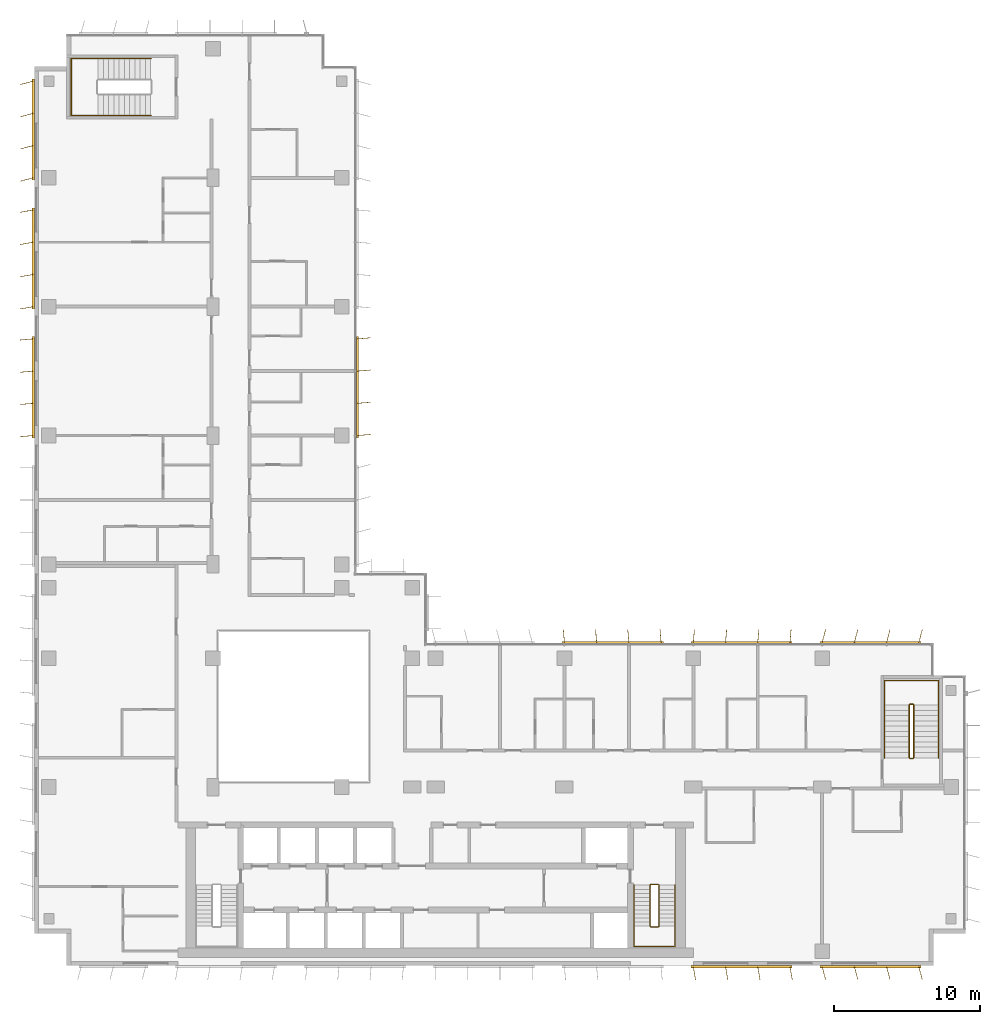
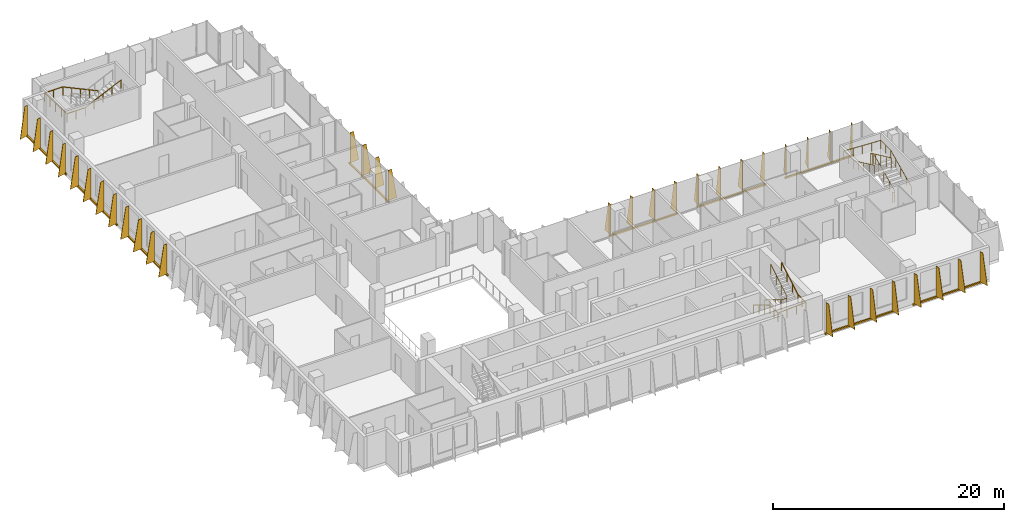
# One storey, part 20 of 21: 9 shading devices, 5 railings.
"""IFC4 building model written with IfcOpenShell, lengths in metres."""

from ifc_helpers import new_model, si_unit, direction, frame, origin, origin_2d, place, context, subcontext, project, spatial, polyline, rectangle, circle, outline, extrude, source, transform, mapped, material, layer, layer_set, type_object, element, save


model = new_model("IFC4")

# Units and contexts
model_context = context("Model", 3, precision=1e-05, world=origin(), true_north=direction((0.0, 1.0)))
body_context = subcontext(model_context, "Body", "Model", "MODEL_VIEW")
ifc_project = project(units=[si_unit("LENGTHUNIT", "METRE"), si_unit("AREAUNIT", "SQUARE_METRE"), si_unit("VOLUMEUNIT", "CUBIC_METRE"), si_unit("PLANEANGLEUNIT", "RADIAN"), si_unit("MASSUNIT", "GRAM", prefix="KILO")], contexts=[model_context])

# Site, building, storey
site_placement = place(None, origin())
site = spatial("IfcSite", under=ifc_project, at=site_placement, CompositionType="ELEMENT")
building_placement = place(site_placement, origin())
building = spatial("IfcBuilding", under=site, at=building_placement, Name="Kemantara Hotel Tower", CompositionType="ELEMENT")
storey_placement = place(building_placement, frame((0.0, 0.0, 171.60009765625)))
storey = spatial("IfcBuildingStorey", under=building, at=storey_placement, Name="L42", CompositionType="ELEMENT", Elevation=171.60009765625)

# Railings
ifc_material_1 = material(Name="Stainless steel balustrade", Category="steel")
railing_type_1 = type_object("IfcRailingType", Name="Stair guard 1100 mm", PredefinedType="GUARDRAIL", material=ifc_material_1)
railing_1_placement = place(storey_placement, frame((42.64990234375, 5.5, 3.699951171875)))
element("IfcRailing", 1, at=railing_1_placement, inside=storey, type_object=railing_type_1, Name="L42 ST2 stair guard 1", PredefinedType="GUARDRAIL", context=body_context, shape_type="SweptSolid", body=[
    extrude(circle(Radius=0.02392578125, at=origin_2d()), frame((0.0, 0.0, 1.076171875), z_axis=(0.0, -0.857242210791, -0.514913383045), x_axis=(1.0, 0.0, 0.0)), (0.0, 0.0, 1.0), 3.266357421875),
    extrude(circle(Radius=0.02392578125, at=origin_2d()), frame((0.0, -2.800048828125, -0.60595703125), z_axis=(-0.273006030465, -0.27434429532, -0.922064485248), x_axis=(0.708833529934, -0.705375805398, 0.0)), (0.0, 0.0, 1.0), 0.182373046875),
    extrude(circle(Radius=0.02392578125, at=origin_2d()), frame((-0.0498046875, -2.85009765625, -0.77392578125), z_axis=(-1.0, 0.0, 0.0), x_axis=(0.0, -1.0, 0.0)), (0.0, 0.0, 1.0), 0.5),
    extrude(circle(Radius=0.02392578125, at=origin_2d()), frame((-0.5498046875, -2.85009765625, -0.77392578125), z_axis=(-0.707106781187, 0.707106781187, 0.0), x_axis=(-0.707106781187, -0.707106781187, 0.0)), (0.0, 0.0, 1.0), 0.07080078125),
    extrude(circle(Radius=0.02392578125, at=origin_2d()), frame((-0.599853515625, -2.800048828125, -0.77392578125), z_axis=(0.0, 0.857242210791, -0.514913383045), x_axis=(-1.0, 0.0, 0.0)), (0.0, 0.0, 1.0), 3.266357421875),
    extrude(circle(Radius=0.02392578125, at=origin_2d()), frame((-0.599853515625, 0.0, -2.4560546875), z_axis=(0.274582412415, 0.274582412415, -0.921525364591), x_axis=(-0.707106781187, 0.707106781187, 0.0)), (0.0, 0.0, 1.0), 0.182373046875),
    extrude(circle(Radius=0.02392578125, at=origin_2d()), frame((-0.5498046875, 0.050048828125, -2.6240234375), z_axis=(1.0, 0.0, 0.0), x_axis=(0.0, 1.0, 0.0)), (0.0, 0.0, 1.0), 0.5),
    extrude(circle(Radius=0.02099609375, at=origin_2d()), origin(), (0.0, 0.0, 1.0), 1.052001953125),
    extrude(circle(Radius=0.02099609375, at=origin_2d()), frame((0.0, -0.933349609375, -0.560546875)), (0.0, 0.0, 1.0), 1.052001953125),
    extrude(circle(Radius=0.02099609375, at=origin_2d()), frame((0.0, -1.86669921875, -1.121337890625)), (0.0, 0.0, 1.0), 1.052001953125),
    extrude(circle(Radius=0.02099609375, at=origin_2d()), frame((0.0, -2.800048828125, -1.681884765625)), (0.0, 0.0, 1.0), 1.052001953125),
    extrude(circle(Radius=0.02099609375, at=origin_2d()), frame((-0.0498046875, -2.85009765625, -1.85009765625)), (0.0, 0.0, 1.0), 1.052001953125),
    extrude(circle(Radius=0.02099609375, at=origin_2d()), frame((-0.5498046875, -2.85009765625, -1.85009765625)), (0.0, 0.0, 1.0), 1.052001953125),
    extrude(circle(Radius=0.02099609375, at=origin_2d()), frame((-0.599853515625, -2.800048828125, -1.85009765625)), (0.0, 0.0, 1.0), 1.052001953125),
    extrude(circle(Radius=0.02099609375, at=origin_2d()), frame((-0.599853515625, -1.86669921875, -2.41064453125)), (0.0, 0.0, 1.0), 1.052001953125),
    extrude(circle(Radius=0.02099609375, at=origin_2d()), frame((-0.599853515625, -0.933349609375, -2.971435546875)), (0.0, 0.0, 1.0), 1.052001953125),
    extrude(circle(Radius=0.02099609375, at=origin_2d()), frame((-0.599853515625, 0.0, -3.531982421875)), (0.0, 0.0, 1.0), 1.052001953125),
    extrude(circle(Radius=0.02099609375, at=origin_2d()), frame((-0.5498046875, 0.050048828125, -3.699951171875)), (0.0, 0.0, 1.0), 1.052001953125),
    extrude(circle(Radius=0.02099609375, at=origin_2d()), frame((-0.0498046875, 0.050048828125, -3.699951171875)), (0.0, 0.0, 1.0), 1.052001953125),
])
railing_2_placement = place(storey_placement, frame((59.75, 14.199951171875, 3.699951171875)))
element("IfcRailing", 2, at=railing_2_placement, inside=storey, type_object=railing_type_1, Name="L42 ST3 stair guard 1", PredefinedType="GUARDRAIL", context=body_context, shape_type="SweptSolid", body=[
    extrude(circle(Radius=0.02392578125, at=origin_2d()), frame((0.0, 0.0, 1.076171875), z_axis=(0.0, 0.906005689286, -0.423265508849), x_axis=(-1.0, 0.0, 0.0)), (0.0, 0.0, 1.0), 3.9736328125),
    extrude(circle(Radius=0.02392578125, at=origin_2d()), frame((0.0, 3.60009765625, -0.60595703125), z_axis=(0.274243871929, 0.274243871929, -0.92172696468), x_axis=(-0.707106781187, 0.707106781187, 0.0)), (0.0, 0.0, 1.0), 0.1826171875),
    extrude(circle(Radius=0.02392578125, at=origin_2d()), frame((0.050048828125, 3.650146484375, -0.77392578125), z_axis=(1.0, 0.0, 0.0), x_axis=(0.0, 1.0, 0.0)), (0.0, 0.0, 1.0), 0.199951171875),
    extrude(circle(Radius=0.02392578125, at=origin_2d()), frame((0.25, 3.650146484375, -0.77392578125), z_axis=(0.707106781187, -0.707106781187, 0.0), x_axis=(0.707106781187, 0.707106781187, 0.0)), (0.0, 0.0, 1.0), 0.07080078125),
    extrude(circle(Radius=0.02392578125, at=origin_2d()), frame((0.300048828125, 3.60009765625, -0.77392578125), z_axis=(0.0, -0.906005689286, -0.423265508849), x_axis=(1.0, 0.0, 0.0)), (0.0, 0.0, 1.0), 3.9736328125),
    extrude(circle(Radius=0.02392578125, at=origin_2d()), frame((0.300048828125, 0.0, -2.4560546875), z_axis=(-0.274582412415, -0.274582412415, -0.921525364591), x_axis=(0.707106781187, -0.707106781187, 0.0)), (0.0, 0.0, 1.0), 0.182373046875),
    extrude(circle(Radius=0.02392578125, at=origin_2d()), frame((0.25, -0.050048828125, -2.6240234375), z_axis=(-1.0, 0.0, 0.0), x_axis=(0.0, -1.0, 0.0)), (0.0, 0.0, 1.0), 0.199951171875),
    extrude(circle(Radius=0.02099609375, at=origin_2d()), origin(), (0.0, 0.0, 1.0), 1.052001953125),
    extrude(circle(Radius=0.02099609375, at=origin_2d()), frame((0.0, 0.89990234375, -0.42041015625)), (0.0, 0.0, 1.0), 1.052001953125),
    extrude(circle(Radius=0.02099609375, at=origin_2d()), frame((0.0, 1.800048828125, -0.8408203125)), (0.0, 0.0, 1.0), 1.052001953125),
    extrude(circle(Radius=0.02099609375, at=origin_2d()), frame((0.0, 2.7001953125, -1.261474609375)), (0.0, 0.0, 1.0), 1.052001953125),
    extrude(circle(Radius=0.02099609375, at=origin_2d()), frame((0.0, 3.60009765625, -1.681884765625)), (0.0, 0.0, 1.0), 1.052001953125),
    extrude(circle(Radius=0.02099609375, at=origin_2d()), frame((0.050048828125, 3.650146484375, -1.85009765625)), (0.0, 0.0, 1.0), 1.052001953125),
    extrude(circle(Radius=0.02099609375, at=origin_2d()), frame((0.25, 3.650146484375, -1.85009765625)), (0.0, 0.0, 1.0), 1.052001953125),
    extrude(circle(Radius=0.02099609375, at=origin_2d()), frame((0.300048828125, 3.60009765625, -1.85009765625)), (0.0, 0.0, 1.0), 1.052001953125),
    extrude(circle(Radius=0.02099609375, at=origin_2d()), frame((0.300048828125, 2.7001953125, -2.2705078125)), (0.0, 0.0, 1.0), 1.052001953125),
    extrude(circle(Radius=0.02099609375, at=origin_2d()), frame((0.300048828125, 1.800048828125, -2.69091796875)), (0.0, 0.0, 1.0), 1.052001953125),
    extrude(circle(Radius=0.02099609375, at=origin_2d()), frame((0.300048828125, 0.89990234375, -3.111572265625)), (0.0, 0.0, 1.0), 1.052001953125),
    extrude(circle(Radius=0.02099609375, at=origin_2d()), frame((0.300048828125, 0.0, -3.531982421875)), (0.0, 0.0, 1.0), 1.052001953125),
    extrude(circle(Radius=0.02099609375, at=origin_2d()), frame((0.25, -0.050048828125, -3.699951171875)), (0.0, 0.0, 1.0), 1.052001953125),
    extrude(circle(Radius=0.02099609375, at=origin_2d()), frame((0.050048828125, -0.050048828125, -3.699951171875)), (0.0, 0.0, 1.0), 1.052001953125),
])
railing_type_2 = type_object("IfcRailingType", Name="Stair handrail 900 mm", PredefinedType="HANDRAIL", material=ifc_material_1)
railing_3_placement = place(storey_placement, frame((40.949951171875, 5.5, 0.16796875)))
element("IfcRailing", 3, at=railing_3_placement, inside=storey, type_object=railing_type_2, Name="L42 ST2 stair handrail 1", PredefinedType="HANDRAIL", context=body_context, shape_type="SweptSolid", body=[
    extrude(circle(Radius=0.02392578125, at=origin_2d()), frame((0.0, 0.0, 0.8759765625), z_axis=(0.0, -0.857242210791, 0.514913383045), x_axis=(1.0, 0.0, 0.0)), (0.0, 0.0, 1.0), 3.266357421875),
    extrude(circle(Radius=0.02392578125, at=origin_2d()), frame((0.0, -2.800048828125, 2.5576171875), z_axis=(0.0, -1.0, 0.0), x_axis=(1.0, 0.0, 0.0)), (0.0, 0.0, 1.0), 1.3798828125),
    extrude(circle(Radius=0.02392578125, at=origin_2d()), frame((0.0, -4.179931640625, 2.5576171875), z_axis=(0.998200367801, 0.0, 0.059966871865), x_axis=(0.0, 1.0, 0.0)), (0.0, 0.0, 1.0), 2.80517578125),
    extrude(circle(Radius=0.02392578125, at=origin_2d()), frame((2.800048828125, -4.179931640625, 2.72607421875), z_axis=(0.0, 1.0, 0.0), x_axis=(-1.0, 0.0, 0.0)), (0.0, 0.0, 1.0), 1.3798828125),
    extrude(circle(Radius=0.02392578125, at=origin_2d()), frame((2.800048828125, -2.800048828125, 2.72607421875), z_axis=(0.0, 0.857242210791, 0.514913383045), x_axis=(-1.0, 0.0, 0.0)), (0.0, 0.0, 1.0), 3.266357421875),
    extrude(circle(Radius=0.02099609375, at=origin_2d()), origin(), (0.0, 0.0, 1.0), 0.851806640625),
    extrude(circle(Radius=0.02099609375, at=origin_2d()), frame((0.0, -0.933349609375, 0.560546875)), (0.0, 0.0, 1.0), 0.851806640625),
    extrude(circle(Radius=0.02099609375, at=origin_2d()), frame((0.0, -1.86669921875, 1.121337890625)), (0.0, 0.0, 1.0), 0.851806640625),
    extrude(circle(Radius=0.02099609375, at=origin_2d()), frame((0.0, -2.800048828125, 1.681884765625)), (0.0, 0.0, 1.0), 0.851806640625),
    extrude(circle(Radius=0.02099609375, at=origin_2d()), frame((0.0, -3.489990234375, 1.681884765625)), (0.0, 0.0, 1.0), 0.851806640625),
    extrude(circle(Radius=0.02099609375, at=origin_2d()), frame((0.0, -4.179931640625, 1.681884765625)), (0.0, 0.0, 1.0), 0.851806640625),
    extrude(circle(Radius=0.02099609375, at=origin_2d()), frame((0.933349609375, -4.179931640625, 1.738037109375)), (0.0, 0.0, 1.0), 0.851806640625),
    extrude(circle(Radius=0.02099609375, at=origin_2d()), frame((1.86669921875, -4.179931640625, 1.7939453125)), (0.0, 0.0, 1.0), 0.851806640625),
    extrude(circle(Radius=0.02099609375, at=origin_2d()), frame((2.800048828125, -4.179931640625, 1.85009765625)), (0.0, 0.0, 1.0), 0.851806640625),
    extrude(circle(Radius=0.02099609375, at=origin_2d()), frame((2.800048828125, -3.489990234375, 1.85009765625)), (0.0, 0.0, 1.0), 0.851806640625),
    extrude(circle(Radius=0.02099609375, at=origin_2d()), frame((2.800048828125, -2.800048828125, 1.85009765625)), (0.0, 0.0, 1.0), 0.851806640625),
    extrude(circle(Radius=0.02099609375, at=origin_2d()), frame((2.800048828125, -1.86669921875, 2.41064453125)), (0.0, 0.0, 1.0), 0.851806640625),
    extrude(circle(Radius=0.02099609375, at=origin_2d()), frame((2.800048828125, -0.933349609375, 2.971435546875)), (0.0, 0.0, 1.0), 0.851806640625),
    extrude(circle(Radius=0.02099609375, at=origin_2d()), frame((2.800048828125, 0.0, 3.531982421875)), (0.0, 0.0, 1.0), 0.851806640625),
])
railing_4_placement = place(storey_placement, frame((61.75, 14.199951171875, 0.16796875)))
element("IfcRailing", 4, at=railing_4_placement, inside=storey, type_object=railing_type_2, Name="L42 ST3 stair handrail 1", PredefinedType="HANDRAIL", context=body_context, shape_type="SweptSolid", body=[
    extrude(circle(Radius=0.02392578125, at=origin_2d()), frame((0.0, 0.0, 0.8759765625), z_axis=(0.0, 0.906005689286, 0.423265508849), x_axis=(-1.0, 0.0, 0.0)), (0.0, 0.0, 1.0), 3.9736328125),
    extrude(circle(Radius=0.02392578125, at=origin_2d()), frame((0.0, 3.60009765625, 2.5576171875), z_axis=(0.0, 1.0, 0.0), x_axis=(-1.0, 0.0, 0.0)), (0.0, 0.0, 1.0), 1.679931640625),
    extrude(circle(Radius=0.02392578125, at=origin_2d()), frame((0.0, 5.280029296875, 2.5576171875), z_axis=(-0.998968132438, 0.0, 0.045416631029), x_axis=(0.0, -1.0, 0.0)), (0.0, 0.0, 1.0), 3.703857421875),
    extrude(circle(Radius=0.02392578125, at=origin_2d()), frame((-3.699951171875, 5.280029296875, 2.72607421875), z_axis=(0.0, -1.0, 0.0), x_axis=(1.0, 0.0, 0.0)), (0.0, 0.0, 1.0), 1.679931640625),
    extrude(circle(Radius=0.02392578125, at=origin_2d()), frame((-3.699951171875, 3.60009765625, 2.72607421875), z_axis=(0.0, -0.906005689286, 0.423265508849), x_axis=(1.0, 0.0, 0.0)), (0.0, 0.0, 1.0), 3.9736328125),
    extrude(circle(Radius=0.02099609375, at=origin_2d()), origin(), (0.0, 0.0, 1.0), 0.851806640625),
    extrude(circle(Radius=0.02099609375, at=origin_2d()), frame((0.0, 0.89990234375, 0.42041015625)), (0.0, 0.0, 1.0), 0.851806640625),
    extrude(circle(Radius=0.02099609375, at=origin_2d()), frame((0.0, 1.800048828125, 0.8408203125)), (0.0, 0.0, 1.0), 0.851806640625),
    extrude(circle(Radius=0.02099609375, at=origin_2d()), frame((0.0, 2.7001953125, 1.261474609375)), (0.0, 0.0, 1.0), 0.851806640625),
    extrude(circle(Radius=0.02099609375, at=origin_2d()), frame((0.0, 3.60009765625, 1.681884765625)), (0.0, 0.0, 1.0), 0.851806640625),
    extrude(circle(Radius=0.02099609375, at=origin_2d()), frame((0.0, 4.43994140625, 1.681884765625)), (0.0, 0.0, 1.0), 0.851806640625),
    extrude(circle(Radius=0.02099609375, at=origin_2d()), frame((0.0, 5.280029296875, 1.681884765625)), (0.0, 0.0, 1.0), 0.851806640625),
    extrude(circle(Radius=0.02099609375, at=origin_2d()), frame((-0.925048828125, 5.280029296875, 1.723876953125)), (0.0, 0.0, 1.0), 0.851806640625),
    extrude(circle(Radius=0.02099609375, at=origin_2d()), frame((-1.85009765625, 5.280029296875, 1.76611328125)), (0.0, 0.0, 1.0), 0.851806640625),
    extrude(circle(Radius=0.02099609375, at=origin_2d()), frame((-2.77490234375, 5.280029296875, 1.80810546875)), (0.0, 0.0, 1.0), 0.851806640625),
    extrude(circle(Radius=0.02099609375, at=origin_2d()), frame((-3.699951171875, 5.280029296875, 1.85009765625)), (0.0, 0.0, 1.0), 0.851806640625),
    extrude(circle(Radius=0.02099609375, at=origin_2d()), frame((-3.699951171875, 4.43994140625, 1.85009765625)), (0.0, 0.0, 1.0), 0.851806640625),
    extrude(circle(Radius=0.02099609375, at=origin_2d()), frame((-3.699951171875, 3.60009765625, 1.85009765625)), (0.0, 0.0, 1.0), 0.851806640625),
    extrude(circle(Radius=0.02099609375, at=origin_2d()), frame((-3.699951171875, 2.7001953125, 2.2705078125)), (0.0, 0.0, 1.0), 0.851806640625),
    extrude(circle(Radius=0.02099609375, at=origin_2d()), frame((-3.699951171875, 1.800048828125, 2.69091796875)), (0.0, 0.0, 1.0), 0.851806640625),
    extrude(circle(Radius=0.02099609375, at=origin_2d()), frame((-3.699951171875, 0.89990234375, 3.111572265625)), (0.0, 0.0, 1.0), 0.851806640625),
    extrude(circle(Radius=0.02099609375, at=origin_2d()), frame((-3.699951171875, 0.0, 3.531982421875)), (0.0, 0.0, 1.0), 0.851806640625),
])
railing_5_placement = place(storey_placement, frame((7.949951171875, 61.949951171875, 0.16796875)))
element("IfcRailing", 5, at=railing_5_placement, inside=storey, type_object=railing_type_2, Name="L42 ST4 stair handrail 1", PredefinedType="HANDRAIL", context=body_context, shape_type="SweptSolid", body=[
    extrude(circle(Radius=0.02392578125, at=origin_2d()), frame((0.0, 0.0, 0.8759765625), z_axis=(-0.905994681025, 0.0, 0.423289071386), x_axis=(0.0, -1.0, 0.0)), (0.0, 0.0, 1.0), 3.973388671875),
    extrude(circle(Radius=0.02392578125, at=origin_2d()), frame((-3.599853515625, 0.0, 2.5576171875), z_axis=(-1.0, 0.0, 0.0), x_axis=(0.0, -1.0, 0.0)), (0.0, 0.0, 1.0), 1.830078125),
    extrude(circle(Radius=0.02392578125, at=origin_2d()), frame((-5.429931640625, 0.0, 2.5576171875), z_axis=(0.0, -0.999071085748, 0.043092523981), x_axis=(1.0, 0.0, 0.0)), (0.0, 0.0, 1.0), 3.903564453125),
    extrude(circle(Radius=0.02392578125, at=origin_2d()), frame((-5.429931640625, -3.89990234375, 2.72607421875), z_axis=(1.0, 0.0, 0.0), x_axis=(0.0, 1.0, 0.0)), (0.0, 0.0, 1.0), 1.830078125),
    extrude(circle(Radius=0.02392578125, at=origin_2d()), frame((-3.599853515625, -3.89990234375, 2.72607421875), z_axis=(0.905994681025, 0.0, 0.423289071386), x_axis=(0.0, 1.0, 0.0)), (0.0, 0.0, 1.0), 3.973388671875),
    extrude(circle(Radius=0.02099609375, at=origin_2d()), origin(), (0.0, 0.0, 1.0), 0.851806640625),
    extrude(circle(Radius=0.02099609375, at=origin_2d()), frame((-0.89990234375, 0.0, 0.42041015625)), (0.0, 0.0, 1.0), 0.851806640625),
    extrude(circle(Radius=0.02099609375, at=origin_2d()), frame((-1.7998046875, 0.0, 0.8408203125)), (0.0, 0.0, 1.0), 0.851806640625),
    extrude(circle(Radius=0.02099609375, at=origin_2d()), frame((-2.699951171875, 0.0, 1.261474609375)), (0.0, 0.0, 1.0), 0.851806640625),
    extrude(circle(Radius=0.02099609375, at=origin_2d()), frame((-3.599853515625, 0.0, 1.681884765625)), (0.0, 0.0, 1.0), 0.851806640625),
    extrude(circle(Radius=0.02099609375, at=origin_2d()), frame((-4.514892578125, 0.0, 1.681884765625)), (0.0, 0.0, 1.0), 0.851806640625),
    extrude(circle(Radius=0.02099609375, at=origin_2d()), frame((-5.429931640625, 0.0, 1.681884765625)), (0.0, 0.0, 1.0), 0.851806640625),
    extrude(circle(Radius=0.02099609375, at=origin_2d()), frame((-5.429931640625, -0.97509765625, 1.723876953125)), (0.0, 0.0, 1.0), 0.851806640625),
    extrude(circle(Radius=0.02099609375, at=origin_2d()), frame((-5.429931640625, -1.949951171875, 1.76611328125)), (0.0, 0.0, 1.0), 0.851806640625),
    extrude(circle(Radius=0.02099609375, at=origin_2d()), frame((-5.429931640625, -2.9248046875, 1.80810546875)), (0.0, 0.0, 1.0), 0.851806640625),
    extrude(circle(Radius=0.02099609375, at=origin_2d()), frame((-5.429931640625, -3.89990234375, 1.85009765625)), (0.0, 0.0, 1.0), 0.851806640625),
    extrude(circle(Radius=0.02099609375, at=origin_2d()), frame((-4.514892578125, -3.89990234375, 1.85009765625)), (0.0, 0.0, 1.0), 0.851806640625),
    extrude(circle(Radius=0.02099609375, at=origin_2d()), frame((-3.599853515625, -3.89990234375, 1.85009765625)), (0.0, 0.0, 1.0), 0.851806640625),
    extrude(circle(Radius=0.02099609375, at=origin_2d()), frame((-2.699951171875, -3.89990234375, 2.2705078125)), (0.0, 0.0, 1.0), 0.851806640625),
    extrude(circle(Radius=0.02099609375, at=origin_2d()), frame((-1.7998046875, -3.89990234375, 2.69091796875)), (0.0, 0.0, 1.0), 0.851806640625),
    extrude(circle(Radius=0.02099609375, at=origin_2d()), frame((-0.89990234375, -3.89990234375, 3.111572265625)), (0.0, 0.0, 1.0), 0.851806640625),
    extrude(circle(Radius=0.02099609375, at=origin_2d()), frame((0.0, -3.89990234375, 3.531982421875)), (0.0, 0.0, 1.0), 0.851806640625),
])

# Shading devices
ifc_material_2 = material(Name="Perforated aluminium plate 4 mm bronze anodised", Category="aluminium")
ifc_layer_1 = layer(ifc_material_2, 0.0400390625)
ifc_layer_set_1 = layer_set([ifc_layer_1], Name="Perforated aluminium plate 4 mm bronze anodised")
shading_device_type_1 = type_object("IfcShadingDeviceType", Name="SCREEN FIN CASSETTE, 4 BLADES AT -5.0 DEG, 3200 HIGH", PredefinedType="USERDEFINED", material=ifc_layer_set_1)
shared_shape_1 = source(origin(), body_context, "Body", "SweptSolid", [
    extrude(rectangle(XDim=6.89990234375, YDim=0.14990234375, at=origin_2d()), frame((3.300048828125, -0.074951171875, -0.14990234375), z_axis=(0.0, 0.0, 1.0), x_axis=(1.0, 0.0, 0.0)), (0.0, 0.0, 1.0), 0.14990234375),
    extrude(outline(polyline([(0.0, 0.0), (0.89990234375, 0.0), (0.35009765625, 3.199951171875), (0.0, 3.199951171875), (0.0, 0.0)])), frame((0.02001953125, -0.07666015625, 0.0), z_axis=(-0.996376129781, 0.085056498884, 0.0), x_axis=(-0.085056498884, -0.996376129781, 0.0)), (0.0, 0.0, 1.0), 0.040283203125),
    extrude(outline(polyline([(0.0, 0.0), (0.89990234375, 0.0), (0.35009765625, 3.199951171875), (0.0, 3.199951171875), (0.0, 0.0)])), frame((2.219970703125, -0.07666015625, 0.0), z_axis=(-0.996331773833, 0.085574508182, 0.0), x_axis=(-0.085574508182, -0.996331773833, 0.0)), (0.0, 0.0, 1.0), 0.0400390625),
    extrude(outline(polyline([(0.0, 0.0), (0.89990234375, 0.0), (0.35009765625, 3.199951171875), (0.0, 3.199951171875), (0.0, 0.0)])), frame((4.419921875, -0.07666015625, 0.0), z_axis=(-0.996331773833, 0.085574508182, 0.0), x_axis=(-0.085574508182, -0.996331773833, 0.0)), (0.0, 0.0, 1.0), 0.0400390625),
    extrude(outline(polyline([(0.0, 0.0), (0.89990234375, 0.0), (0.35009765625, 3.199951171875), (0.0, 3.199951171875), (0.0, 0.0)])), frame((6.619873046875, -0.07666015625, 0.0), z_axis=(-0.996331773833, 0.085574508182, 0.0), x_axis=(-0.085574508182, -0.996331773833, 0.0)), (0.0, 0.0, 1.0), 0.0400390625),
])
shading_device_1_placement = place(storey_placement, frame((51.60009765625, 22.0, 0.099853515625), z_axis=(0.0, 0.0, 1.0), x_axis=(-1.0, 0.0, 0.0)))
element("IfcShadingDevice", 6, at=shading_device_1_placement, inside=storey, type_object=shading_device_type_1, Name="SCREEN FIN CASSETTE L42 T3-R14-2", ObjectType="SCREEN FIN", PredefinedType="USERDEFINED", context=body_context, shape_type="MappedRepresentation", body=[
    mapped(shared_shape_1, transform((0.0, 0.0, 0.0))),
])
ifc_layer_2 = layer(ifc_material_2, 0.0400390625)
ifc_layer_set_2 = layer_set([ifc_layer_2], Name="Perforated aluminium plate 4 mm bronze anodised")
shading_device_type_2 = type_object("IfcShadingDeviceType", Name="SCREEN FIN CASSETTE, 4 BLADES AT +5.0 DEG, 3200 HIGH", PredefinedType="USERDEFINED", material=ifc_layer_set_2)
shared_shape_2 = source(origin(), body_context, "Body", "SweptSolid", [
    extrude(rectangle(XDim=6.89990234375, YDim=0.14990234375, at=origin_2d()), frame((3.300048828125, -0.074951171875, -0.14990234375), z_axis=(0.0, 0.0, 1.0), x_axis=(1.0, 0.0, 0.0)), (0.0, 0.0, 1.0), 0.14990234375),
    extrude(outline(polyline([(0.0, 0.0), (0.89990234375, 0.0), (0.35009765625, 3.199951171875), (0.0, 3.199951171875), (0.0, 0.0)])), frame((0.02001953125, -0.0732421875, 0.0), z_axis=(-0.996376129781, -0.085056498884, 0.0), x_axis=(0.085056498884, -0.996376129781, 0.0)), (0.0, 0.0, 1.0), 0.040283203125),
    extrude(outline(polyline([(0.0, 0.0), (0.89990234375, 0.0), (0.35009765625, 3.199951171875), (0.0, 3.199951171875), (0.0, 0.0)])), frame((2.219970703125, -0.0732421875, 0.0), z_axis=(-0.996331773833, -0.085574508182, 0.0), x_axis=(0.085574508182, -0.996331773833, 0.0)), (0.0, 0.0, 1.0), 0.0400390625),
    extrude(outline(polyline([(0.0, 0.0), (0.89990234375, 0.0), (0.35009765625, 3.199951171875), (0.0, 3.199951171875), (0.0, 0.0)])), frame((4.419921875, -0.0732421875, 0.0), z_axis=(-0.996331773833, -0.085574508182, 0.0), x_axis=(0.085574508182, -0.996331773833, 0.0)), (0.0, 0.0, 1.0), 0.0400390625),
    extrude(outline(polyline([(0.0, 0.0), (0.89990234375, 0.0), (0.35009765625, 3.199951171875), (0.0, 3.199951171875), (0.0, 0.0)])), frame((6.619873046875, -0.0732421875, 0.0), z_axis=(-0.996331773833, -0.085574508182, 0.0), x_axis=(0.085574508182, -0.996331773833, 0.0)), (0.0, 0.0, 1.0), 0.0400390625),
])
for number, where, z_axis, x_axis, name in (
    (7, (0.0, 42.800048828125, 0.099853515625), (0.0, 0.0, 1.0), (0.0, -1.0, 0.0), "SCREEN FIN CASSETTE L42 T3-R05-3"),
    (8, (42.800048828125, 22.0, 0.099853515625), (0.0, 0.0, 1.0), (-1.0, 0.0, 0.0), "SCREEN FIN CASSETTE L42 T3-R14-3"),
    (9, (22.0, 36.199951171875, 0.099853515625), (0.0, 0.0, 1.0), (0.0, 1.0, 0.0), "SCREEN FIN CASSETTE L42 T3-R17-2"),
):
    element("IfcShadingDevice", number, at=place(storey_placement, frame(where, z_axis=z_axis, x_axis=x_axis)), inside=storey, type_object=shading_device_type_2, Name=name, ObjectType="SCREEN FIN", PredefinedType="USERDEFINED", context=body_context, shape_type="MappedRepresentation", body=[
        mapped(shared_shape_2, transform((0.0, 0.0, 0.0))),
    ])
ifc_layer_3 = layer(ifc_material_2, 0.0400390625)
ifc_layer_set_3 = layer_set([ifc_layer_3], Name="Perforated aluminium plate 4 mm bronze anodised")
shading_device_type_3 = type_object("IfcShadingDeviceType", Name="SCREEN FIN CASSETTE, 4 BLADES AT +10.0 DEG, 3200 HIGH", PredefinedType="USERDEFINED", material=ifc_layer_set_3)
shared_shape_3 = source(origin(), body_context, "Body", "SweptSolid", [
    extrude(rectangle(XDim=6.89990234375, YDim=0.14990234375, at=origin_2d()), frame((3.300048828125, -0.074951171875, -0.14990234375), z_axis=(0.0, 0.0, 1.0), x_axis=(1.0, 0.0, 0.0)), (0.0, 0.0, 1.0), 0.14990234375),
    extrude(outline(polyline([(0.0, 0.0), (0.89990234375, 0.0), (0.35009765625, 3.199951171875), (0.0, 3.199951171875), (0.0, 0.0)])), frame((0.019775390625, -0.071533203125, 0.0), z_axis=(-0.985389793052, -0.170314285219, 0.0), x_axis=(0.170314285219, -0.985389793052, 0.0)), (0.0, 0.0, 1.0), 0.0400390625),
    extrude(outline(polyline([(0.0, 0.0), (0.89990234375, 0.0), (0.35009765625, 3.199951171875), (0.0, 3.199951171875), (0.0, 0.0)])), frame((2.2197265625, -0.071533203125, 0.0), z_axis=(-0.98521175482, -0.171341174751, 0.0), x_axis=(0.171341174751, -0.98521175482, 0.0)), (0.0, 0.0, 1.0), 0.039794921875),
    extrude(outline(polyline([(0.0, 0.0), (0.89990234375, 0.0), (0.35009765625, 3.199951171875), (0.0, 3.199951171875), (0.0, 0.0)])), frame((4.419677734375, -0.071533203125, 0.0), z_axis=(-0.98521175482, -0.171341174751, 0.0), x_axis=(0.171341174751, -0.98521175482, 0.0)), (0.0, 0.0, 1.0), 0.039794921875),
    extrude(outline(polyline([(0.0, 0.0), (0.89990234375, 0.0), (0.35009765625, 3.199951171875), (0.0, 3.199951171875), (0.0, 0.0)])), frame((6.61962890625, -0.071533203125, 0.0), z_axis=(-0.98521175482, -0.171341174751, 0.0), x_axis=(0.171341174751, -0.98521175482, 0.0)), (0.0, 0.0, 1.0), 0.039794921875),
])
for number, where, z_axis, x_axis, name in (
    (10, (0.0, 51.60009765625, 0.099853515625), (0.0, 0.0, 1.0), (0.0, -1.0, 0.0), "SCREEN FIN CASSETTE L42 T3-R05-2"),
    (11, (45.0, 0.0, 0.099853515625), (0.0, 0.0, 1.0), (1.0, 0.0, 0.0), "SCREEN FIN CASSETTE L42 T3-R08-6"),
):
    element("IfcShadingDevice", number, at=place(storey_placement, frame(where, z_axis=z_axis, x_axis=x_axis)), inside=storey, type_object=shading_device_type_3, Name=name, ObjectType="SCREEN FIN", PredefinedType="USERDEFINED", context=body_context, shape_type="MappedRepresentation", body=[
        mapped(shared_shape_3, transform((0.0, 0.0, 0.0))),
    ])
ifc_layer_4 = layer(ifc_material_2, 0.0400390625)
ifc_layer_set_4 = layer_set([ifc_layer_4], Name="Perforated aluminium plate 4 mm bronze anodised")
shading_device_type_4 = type_object("IfcShadingDeviceType", Name="SCREEN FIN CASSETTE, 4 BLADES AT +15.0 DEG, 3200 HIGH", PredefinedType="USERDEFINED", material=ifc_layer_set_4)
shared_shape_4 = source(origin(), body_context, "Body", "SweptSolid", [
    extrude(rectangle(XDim=6.89990234375, YDim=0.14990234375, at=origin_2d()), frame((3.300048828125, -0.074951171875, -0.14990234375), z_axis=(0.0, 0.0, 1.0), x_axis=(1.0, 0.0, 0.0)), (0.0, 0.0, 1.0), 0.14990234375),
    extrude(outline(polyline([(0.0, 0.0), (0.89990234375, 0.0), (0.35009765625, 3.199951171875), (0.0, 3.199951171875), (0.0, 0.0)])), frame((0.019287109375, -0.06982421875, 0.0), z_axis=(-0.966437683387, -0.256901156343, 0.0), x_axis=(0.256901156343, -0.966437683387, 0.0)), (0.0, 0.0, 1.0), 0.039794921875),
    extrude(outline(polyline([(0.0, 0.0), (0.89990234375, 0.0), (0.35009765625, 3.199951171875), (0.0, 3.199951171875), (0.0, 0.0)])), frame((2.21923828125, -0.06982421875, 0.0), z_axis=(-0.966437683387, -0.256901156343, 0.0), x_axis=(0.256901156343, -0.966437683387, 0.0)), (0.0, 0.0, 1.0), 0.039794921875),
    extrude(outline(polyline([(0.0, 0.0), (0.89990234375, 0.0), (0.35009765625, 3.199951171875), (0.0, 3.199951171875), (0.0, 0.0)])), frame((4.41943359375, -0.06982421875, 0.0), z_axis=(-0.966837822169, -0.255391122837, 0.0), x_axis=(0.255391122837, -0.966837822169, 0.0)), (0.0, 0.0, 1.0), 0.0400390625),
    extrude(outline(polyline([(0.0, 0.0), (0.89990234375, 0.0), (0.35009765625, 3.199951171875), (0.0, 3.199951171875), (0.0, 0.0)])), frame((6.619384765625, -0.06982421875, 0.0), z_axis=(-0.966837822169, -0.255391122837, 0.0), x_axis=(0.255391122837, -0.966837822169, 0.0)), (0.0, 0.0, 1.0), 0.0400390625),
])
for number, where, z_axis, x_axis, name in (
    (12, (0.0, 60.39990234375, 0.099853515625), (0.0, 0.0, 1.0), (0.0, -1.0, 0.0), "SCREEN FIN CASSETTE L42 T3-R05-1"),
    (13, (53.800048828125, 0.0, 0.099853515625), (0.0, 0.0, 1.0), (1.0, 0.0, 0.0), "SCREEN FIN CASSETTE L42 T3-R08-7"),
):
    element("IfcShadingDevice", number, at=place(storey_placement, frame(where, z_axis=z_axis, x_axis=x_axis)), inside=storey, type_object=shading_device_type_4, Name=name, ObjectType="SCREEN FIN", PredefinedType="USERDEFINED", context=body_context, shape_type="MappedRepresentation", body=[
        mapped(shared_shape_4, transform((0.0, 0.0, 0.0))),
    ])
ifc_layer_5 = layer(ifc_material_2, 0.0400390625)
ifc_layer_set_5 = layer_set([ifc_layer_5], Name="Perforated aluminium plate 4 mm bronze anodised")
shading_device_type_5 = type_object("IfcShadingDeviceType", Name="SCREEN FIN CASSETTE, 4 BLADES AT -15.0 DEG, 3200 HIGH", PredefinedType="USERDEFINED", material=ifc_layer_set_5)
shared_shape_5 = source(origin(), body_context, "Body", "SweptSolid", [
    extrude(rectangle(XDim=6.89990234375, YDim=0.14990234375, at=origin_2d()), frame((3.300048828125, -0.074951171875, -0.14990234375), z_axis=(0.0, 0.0, 1.0), x_axis=(1.0, 0.0, 0.0)), (0.0, 0.0, 1.0), 0.14990234375),
    extrude(outline(polyline([(0.0, 0.0), (0.89990234375, 0.0), (0.35009765625, 3.199951171875), (0.0, 3.199951171875), (0.0, 0.0)])), frame((0.019287109375, -0.080078125, 0.0), z_axis=(-0.966437683387, 0.256901156343, 0.0), x_axis=(-0.256901156343, -0.966437683387, 0.0)), (0.0, 0.0, 1.0), 0.039794921875),
    extrude(outline(polyline([(0.0, 0.0), (0.89990234375, 0.0), (0.35009765625, 3.199951171875), (0.0, 3.199951171875), (0.0, 0.0)])), frame((2.21923828125, -0.080078125, 0.0), z_axis=(-0.966437683387, 0.256901156343, 0.0), x_axis=(-0.256901156343, -0.966437683387, 0.0)), (0.0, 0.0, 1.0), 0.039794921875),
    extrude(outline(polyline([(0.0, 0.0), (0.89990234375, 0.0), (0.35009765625, 3.199951171875), (0.0, 3.199951171875), (0.0, 0.0)])), frame((4.41943359375, -0.080078125, 0.0), z_axis=(-0.966837822169, 0.255391122837, 0.0), x_axis=(-0.255391122837, -0.966837822169, 0.0)), (0.0, 0.0, 1.0), 0.0400390625),
    extrude(outline(polyline([(0.0, 0.0), (0.89990234375, 0.0), (0.35009765625, 3.199951171875), (0.0, 3.199951171875), (0.0, 0.0)])), frame((6.619384765625, -0.080078125, 0.0), z_axis=(-0.966837822169, 0.255391122837, 0.0), x_axis=(-0.255391122837, -0.966837822169, 0.0)), (0.0, 0.0, 1.0), 0.0400390625),
])
shading_device_2_placement = place(storey_placement, frame((60.39990234375, 22.0, 0.099853515625), z_axis=(0.0, 0.0, 1.0), x_axis=(-1.0, 0.0, 0.0)))
element("IfcShadingDevice", 14, at=shading_device_2_placement, inside=storey, type_object=shading_device_type_5, Name="SCREEN FIN CASSETTE L42 T3-R14-1", ObjectType="SCREEN FIN", PredefinedType="USERDEFINED", context=body_context, shape_type="MappedRepresentation", body=[
    mapped(shared_shape_5, transform((0.0, 0.0, 0.0))),
])

save(model, "model.ifc")
